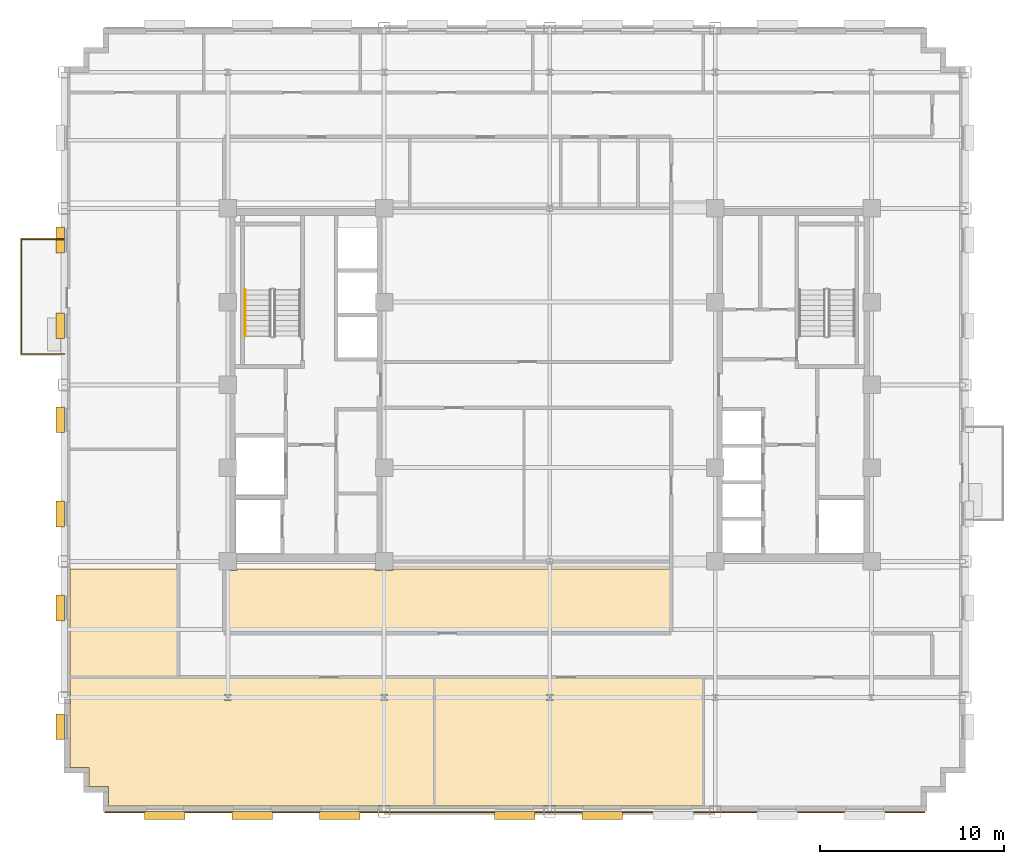
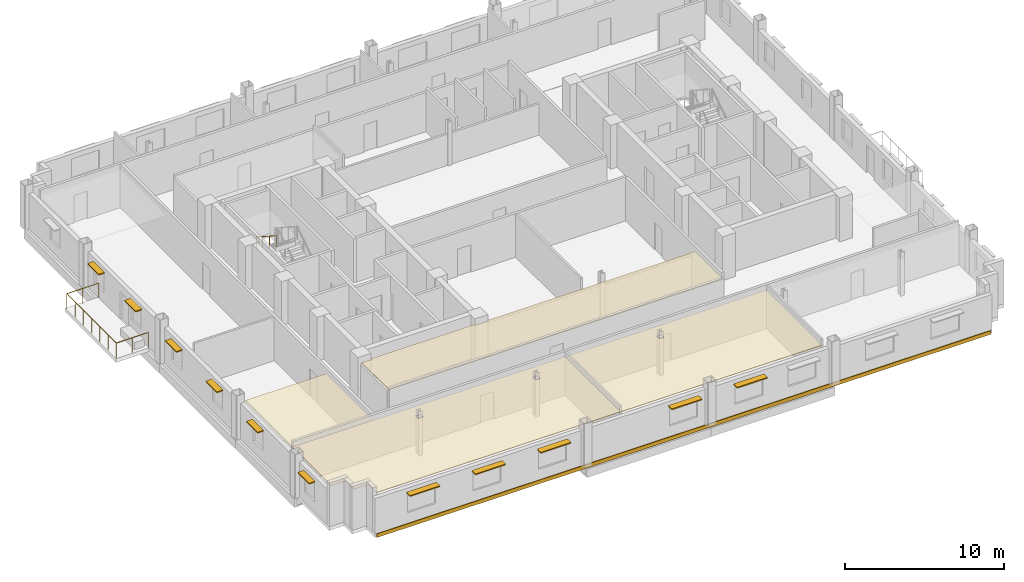
# One storey, part 11 of 14: 11 shading devices, 5 coverings, 2 railings.
"""IFC4 building model written with IfcOpenShell, lengths in metres."""

from ifc_helpers import new_model, si_unit, direction, frame, origin, origin_2d, place, context, subcontext, project, spatial, polyline, rectangle, circle, outline, extrude, source, transform, mapped, material, layer, layer_set, type_object, type_shapes, element, save


model = new_model("IFC4")

# Units and contexts
model_context = context("Model", 3, precision=1e-05, world=origin(), true_north=direction((0.0, 1.0)))
body_context = subcontext(model_context, "Body", "Model", "MODEL_VIEW")
ifc_project = project(units=[si_unit("LENGTHUNIT", "METRE"), si_unit("AREAUNIT", "SQUARE_METRE"), si_unit("VOLUMEUNIT", "CUBIC_METRE"), si_unit("PLANEANGLEUNIT", "RADIAN"), si_unit("MASSUNIT", "GRAM", prefix="KILO")], contexts=[model_context])

# Site, building, storey
site_placement = place(None, origin())
site = spatial("IfcSite", under=ifc_project, at=site_placement, CompositionType="ELEMENT")
building_placement = place(site_placement, origin())
building = spatial("IfcBuilding", under=site, at=building_placement, Name="Nuvemarco Arch Tower", CompositionType="ELEMENT")
storey_placement = place(building_placement, frame((0.0, 0.0, 174.949951171875)))
storey = spatial("IfcBuildingStorey", under=building, at=storey_placement, Name="L46", CompositionType="ELEMENT", Elevation=174.949951171875)

# Coverings
ifc_material_1 = material(Name="Mineral acoustic ceiling tile")
ifc_layer_1 = layer(ifc_material_1, 0.0400390625, Name="COV-ACOUSTIC-CLG")
ifc_layer_set_1 = layer_set([ifc_layer_1], Name="Mineral acoustic ceiling tile")
covering_type_1 = type_object("IfcCoveringType", Name="COV-ACOUSTIC-CLG", PredefinedType="CEILING", material=ifc_layer_set_1)
covering_1_placement = place(storey_placement, frame((0.0, 0.0, 2.85009765625)))
element("IfcCovering", 1, at=covering_1_placement, inside=storey, type_object=covering_type_1, Name="L46 suspended acoustic ceiling 1", PredefinedType="CEILING", context=body_context, shape_type="SweptSolid", body=[
    extrude(outline(polyline([(-26.090087890625, -20.7900390625), (-26.090087890625, -17.340087890625), (-26.06005859375, -17.340087890625), (-26.06005859375, -16.659912109375), (-26.090087890625, -16.659912109375), (-26.090087890625, -15.89990234375), (-20.199951171875, -15.89990234375), (-17.699951171875, -15.89990234375), (-6.280029296875, -15.89990234375), (-6.280029296875, -22.889892578125), (-8.659912109375, -22.889892578125), (-8.659912109375, -22.860107421875), (-9.340087890625, -22.860107421875), (-9.340087890625, -22.889892578125), (-23.989990234375, -22.889892578125), (-23.989990234375, -21.840087890625), (-25.0400390625, -21.840087890625), (-25.0400390625, -20.7900390625), (-26.090087890625, -20.7900390625)]), holes=[polyline([(-17.330078125, -16.830078125), (-17.669921875, -16.830078125), (-17.669921875, -17.169921875), (-17.330078125, -17.169921875), (-17.330078125, -16.830078125)]), polyline([(-8.830078125, -17.169921875), (-8.830078125, -16.830078125), (-9.169921875, -16.830078125), (-9.169921875, -17.169921875), (-8.830078125, -17.169921875)])]), origin(), (0.0, 0.0, 1.0), 0.0400390625),
])
covering_2_placement = place(storey_placement, frame((0.0, 0.0, 2.85009765625)))
element("IfcCovering", 2, at=covering_2_placement, inside=storey, type_object=covering_type_1, Name="L46 suspended acoustic ceiling 4", PredefinedType="CEILING", context=body_context, shape_type="SweptSolid", body=[
    extrude(outline(polyline([(8.35009765625, -22.889892578125), (0.340087890625, -22.889892578125), (0.340087890625, -22.860107421875), (-0.340087890625, -22.860107421875), (-0.340087890625, -22.889892578125), (-6.280029296875, -22.889892578125), (-6.280029296875, -15.89990234375), (6.60009765625, -15.89990234375), (8.35009765625, -15.89990234375), (8.35009765625, -22.889892578125)]), holes=[polyline([(0.169921875, -17.169921875), (0.169921875, -16.830078125), (-0.169921875, -16.830078125), (-0.169921875, -17.169921875), (0.169921875, -17.169921875)])]), origin(), (0.0, 0.0, 1.0), 0.0400390625),
])
covering_3_placement = place(storey_placement, frame((0.0, 0.0, 2.85009765625)))
element("IfcCovering", 3, at=covering_3_placement, inside=storey, type_object=covering_type_1, Name="L46 suspended acoustic ceiling 5", PredefinedType="CEILING", context=body_context, shape_type="SweptSolid", body=[
    extrude(outline(polyline([(-9.489990234375, -10.090087890625), (-8.510009765625, -10.090087890625), (-8.510009765625, -10.0), (6.60009765625, -10.0), (6.60009765625, -13.5), (-17.699951171875, -13.5), (-17.699951171875, -10.090087890625), (-17.010009765625, -10.090087890625), (-17.010009765625, -10.0), (-9.489990234375, -10.0), (-9.489990234375, -10.090087890625)])), origin(), (0.0, 0.0, 1.0), 0.0400390625),
])
covering_4_placement = place(storey_placement, frame((0.0, 0.0, 2.85009765625)))
element("IfcCovering", 4, at=covering_4_placement, inside=storey, type_object=covering_type_1, Name="L46 suspended acoustic ceiling 7", PredefinedType="CEILING", context=body_context, shape_type="SweptSolid", body=[
    extrude(outline(polyline([(-20.199951171875, -13.5), (-20.199951171875, -15.89990234375), (-26.090087890625, -15.89990234375), (-26.090087890625, -10.0), (-20.199951171875, -10.0), (-20.199951171875, -13.5)])), origin(), (0.0, 0.0, 1.0), 0.0400390625),
])

# Railings
ifc_material_2 = material(Name="Brushed stainless steel handrail", Category="steel")
railing_type_1 = type_object("IfcRailingType", Name="RL-HANDRAIL-900", PredefinedType="HANDRAIL", material=ifc_material_2)
railing_1_placement = place(storey_placement, frame((-16.550048828125, 5.169921875, 2.007568359375)))
element("IfcRailing", 5, at=railing_1_placement, inside=storey, type_object=railing_type_1, Name="L46 ST-1 stair handrail 2", PredefinedType="HANDRAIL", context=body_context, shape_type="SweptSolid", body=[
    extrude(circle(Radius=0.02392578125, at=origin_2d()), frame((0.0, 0.0, 0.8759765625), z_axis=(0.0, -0.837749427056, 0.546054848405), x_axis=(1.0, 0.0, 0.0)), (0.0, 0.0, 1.0), 3.008056640625),
    extrude(circle(Radius=0.02099609375, at=origin_2d()), origin(), (0.0, 0.0, 1.0), 0.851806640625),
    extrude(circle(Radius=0.02099609375, at=origin_2d()), frame((0.0, -0.840087890625, 0.547607421875)), (0.0, 0.0, 1.0), 0.851806640625),
    extrude(circle(Radius=0.02099609375, at=origin_2d()), frame((0.0, -1.679931640625, 1.094970703125)), (0.0, 0.0, 1.0), 0.851806640625),
    extrude(circle(Radius=0.02099609375, at=origin_2d()), frame((0.0, -2.52001953125, 1.642578125)), (0.0, 0.0, 1.0), 0.851806640625),
])
ifc_material_3 = material(Name="Dark anodised balustrade steel S355", Category="steel")
railing_type_2 = type_object("IfcRailingType", Name="RL-TERR-GUARD", PredefinedType="BALUSTRADE", material=ifc_material_3)
railing_2_placement = place(storey_placement, frame((-26.39990234375, 1.679931640625, 0.0)))
element("IfcRailing", 6, at=railing_2_placement, inside=storey, type_object=railing_type_2, Name="L46 spiral terrace perimeter balustrade guard", PredefinedType="BALUSTRADE", context=body_context, shape_type="SweptSolid", body=[
    extrude(circle(Radius=0.02392578125, at=origin_2d()), frame((0.0, 0.0, 1.1259765625), z_axis=(-1.0, 0.0, 0.0), x_axis=(0.0, -1.0, 0.0)), (0.0, 0.0, 1.0), 2.320068359375),
    extrude(circle(Radius=0.02392578125, at=origin_2d()), frame((-2.320068359375, 0.0, 1.1259765625), z_axis=(0.0, 1.0, 0.0), x_axis=(-1.0, 0.0, 0.0)), (0.0, 0.0, 1.0), 6.239990234375),
    extrude(circle(Radius=0.02392578125, at=origin_2d()), frame((-2.320068359375, 6.239990234375, 1.1259765625), z_axis=(1.0, 0.0, 0.0), x_axis=(0.0, 1.0, 0.0)), (0.0, 0.0, 1.0), 2.320068359375),
    extrude(circle(Radius=0.02099609375, at=origin_2d()), origin(), (0.0, 0.0, 1.0), 1.101806640625),
    extrude(circle(Radius=0.02099609375, at=origin_2d()), frame((-1.16015625, 0.0, 0.0)), (0.0, 0.0, 1.0), 1.101806640625),
    extrude(circle(Radius=0.02099609375, at=origin_2d()), frame((-2.320068359375, 0.0, 0.0)), (0.0, 0.0, 1.0), 1.101806640625),
    extrude(circle(Radius=0.02099609375, at=origin_2d()), frame((-2.320068359375, 1.0400390625, 0.0)), (0.0, 0.0, 1.0), 1.101806640625),
    extrude(circle(Radius=0.02099609375, at=origin_2d()), frame((-2.320068359375, 2.080078125, 0.0)), (0.0, 0.0, 1.0), 1.101806640625),
    extrude(circle(Radius=0.02099609375, at=origin_2d()), frame((-2.320068359375, 3.1201171875, 0.0)), (0.0, 0.0, 1.0), 1.101806640625),
    extrude(circle(Radius=0.02099609375, at=origin_2d()), frame((-2.320068359375, 4.159912109375, 0.0)), (0.0, 0.0, 1.0), 1.101806640625),
    extrude(circle(Radius=0.02099609375, at=origin_2d()), frame((-2.320068359375, 5.199951171875, 0.0)), (0.0, 0.0, 1.0), 1.101806640625),
    extrude(circle(Radius=0.02099609375, at=origin_2d()), frame((-2.320068359375, 6.239990234375, 0.0)), (0.0, 0.0, 1.0), 1.101806640625),
    extrude(circle(Radius=0.02099609375, at=origin_2d()), frame((-1.16015625, 6.239990234375, 0.0)), (0.0, 0.0, 1.0), 1.101806640625),
    extrude(circle(Radius=0.02099609375, at=origin_2d()), frame((0.0, 6.239990234375, 0.0)), (0.0, 0.0, 1.0), 1.101806640625),
])

# Shading devices
ifc_material_4 = material(Name="Anodised aluminium 6063-T6", Category="aluminium")
shading_device_type_1 = type_object("IfcShadingDeviceType", Name="SHD-BRISE-SOLEIL", PredefinedType="USERDEFINED", material=ifc_material_4)
shared_shape_1 = source(origin(), body_context, "Body", "SweptSolid", [
    extrude(rectangle(XDim=2.199951171875, YDim=0.449951171875, at=origin_2d()), origin(), (0.0, 0.0, 1.0), 0.080078125),
])
type_shapes(shading_device_type_1, [shared_shape_1])
for number, where, z_axis, x_axis, name in (
    (7, (-20.922119140625, -23.4150390625, 2.324951171875), (0.0, 0.0, 1.0), (1.0, 0.0, 0.0), "L46 horizontal brise-soleil sunshade"),
    (8, (-16.166748046875, -23.4150390625, 2.324951171875), (0.0, 0.0, 1.0), (1.0, 0.0, 0.0), "L46 horizontal brise-soleil sunshade"),
    (9, (-11.4111328125, -23.4150390625, 2.324951171875), (0.0, 0.0, 1.0), (1.0, 0.0, 0.0), "L46 horizontal brise-soleil sunshade"),
    (10, (-1.89990234375, -23.4150390625, 2.324951171875), (0.0, 0.0, 1.0), (1.0, 0.0, 0.0), "L46 horizontal brise-soleil sunshade"),
    (11, (2.855712890625, -23.4150390625, 2.324951171875), (0.0, 0.0, 1.0), (1.0, 0.0, 0.0), "L46 horizontal brise-soleil sunshade"),
):
    element("IfcShadingDevice", number, at=place(storey_placement, frame(where, z_axis=z_axis, x_axis=x_axis)), inside=storey, type_object=shading_device_type_1, Name=name, ObjectType="SUNSHADE", PredefinedType="USERDEFINED", context=body_context, shape_type="MappedRepresentation", body=[
        mapped(shared_shape_1, transform((0.0, 0.0, 0.0), scale=1.0)),
    ])
shading_device_type_2 = type_object("IfcShadingDeviceType", Name="SHD-BRISE-NARROW", PredefinedType="USERDEFINED", material=ifc_material_4)
shared_shape_2 = source(origin(), body_context, "Body", "SweptSolid", [
    extrude(rectangle(XDim=1.39990234375, YDim=0.449951171875, at=origin_2d()), origin(), (0.0, 0.0, 1.0), 0.080078125),
])
type_shapes(shading_device_type_2, [shared_shape_2])
for number, where, z_axis, x_axis, name in (
    (12, (-26.614990234375, -18.587646484375, 2.324951171875), (0.0, 0.0, 1.0), (0.0, 1.0, 0.0), "L46 horizontal brise-soleil sunshade"),
    (13, (-26.614990234375, -12.125, 2.324951171875), (0.0, 0.0, 1.0), (0.0, 1.0, 0.0), "L46 horizontal brise-soleil sunshade"),
    (14, (-26.614990234375, -7.0126953125, 2.324951171875), (0.0, 0.0, 1.0), (0.0, 1.0, 0.0), "L46 horizontal brise-soleil sunshade"),
    (15, (-26.614990234375, -1.89990234375, 2.324951171875), (0.0, 0.0, 1.0), (0.0, 1.0, 0.0), "L46 horizontal brise-soleil sunshade"),
    (16, (-26.614990234375, 3.212646484375, 2.324951171875), (0.0, 0.0, 1.0), (0.0, 1.0, 0.0), "L46 horizontal brise-soleil sunshade"),
    (17, (-26.614990234375, 7.875, 2.324951171875), (0.0, 0.0, 1.0), (0.0, 1.0, 0.0), "L46 horizontal brise-soleil sunshade"),
):
    element("IfcShadingDevice", number, at=place(storey_placement, frame(where, z_axis=z_axis, x_axis=x_axis)), inside=storey, type_object=shading_device_type_2, Name=name, ObjectType="SUNSHADE", PredefinedType="USERDEFINED", context=body_context, shape_type="MappedRepresentation", body=[
        mapped(shared_shape_2, transform((0.0, 0.0, 0.0), scale=1.0)),
    ])

# Covering
ifc_material_5 = material(Name="Precast concrete C45/55", Category="concrete")
ifc_layer_2 = layer(ifc_material_5, 0.06005859375, Name="COV-SPANDREL-CLAD")
ifc_layer_set_2 = layer_set([ifc_layer_2], Name="Precast concrete C45/55")
covering_type_2 = type_object("IfcCoveringType", Name="COV-SPANDREL-CLAD", PredefinedType="CLADDING", material=ifc_layer_set_2)
shared_shape_3 = source(origin(), body_context, "Body", "SweptSolid", [
    extrude(rectangle(XDim=44.60009765625, YDim=0.06005859375, at=origin_2d()), origin(), (0.0, 0.0, 1.0), 0.280029296875),
])
type_shapes(covering_type_2, [shared_shape_3])
covering_5_placement = place(storey_placement, frame((-1.89990234375, -23.22900390625, -0.27978515625), z_axis=(0.0, 0.0, 1.0), x_axis=(1.0, 0.0, 0.0)))
element("IfcCovering", 18, at=covering_5_placement, inside=storey, type_object=covering_type_2, Name="L46 precast spandrel edge cladding south", PredefinedType="CLADDING", context=body_context, shape_type="MappedRepresentation", body=[
    mapped(shared_shape_3, transform((0.0, 0.0, 0.0), scale=1.0)),
])

save(model, "model.ifc")
